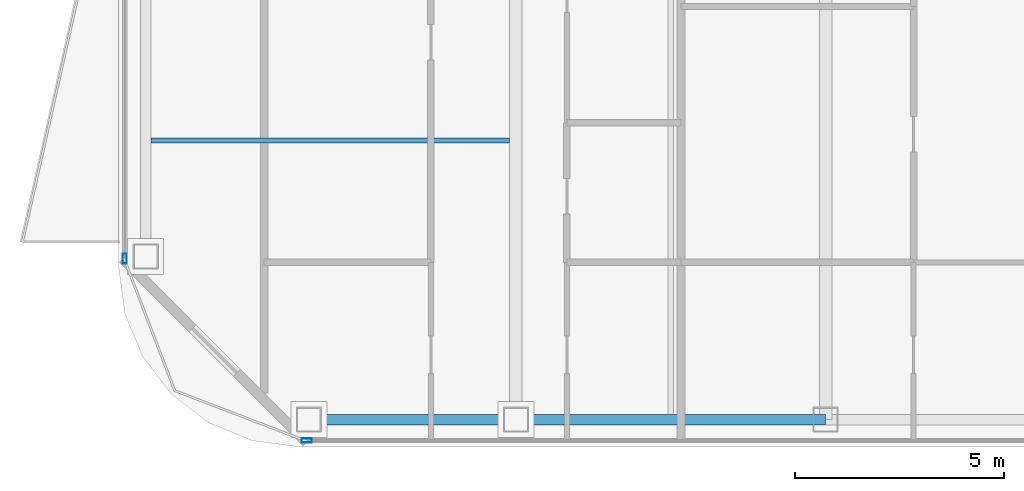
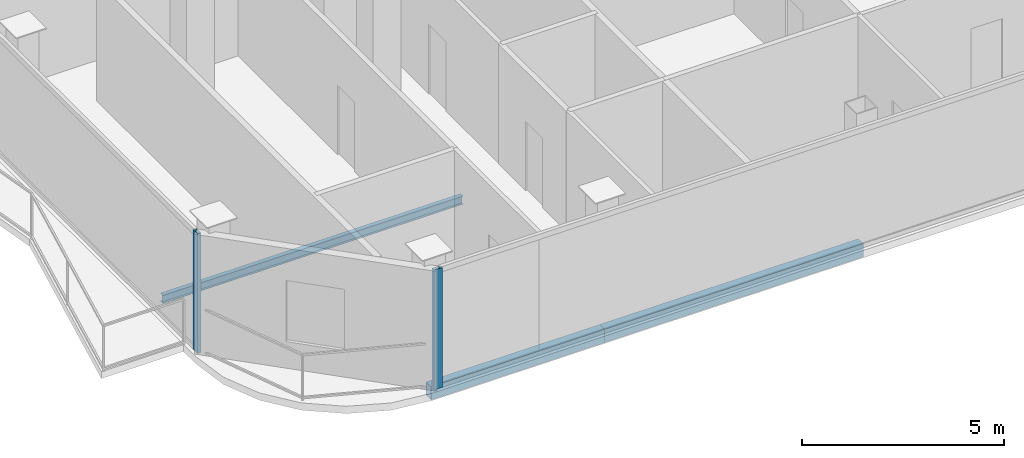
# One storey, part 2 of 24: 3 beams, 2 members, 2 elements without a shape of their own.
"""IFC4 building model written with IfcOpenShell, lengths in metres."""

from ifc_helpers import new_model, si_unit, direction, frame, origin, origin_2d, place, context, subcontext, project, spatial, hollow_rectangle, i_section, extrude, material, layer, layer_set, material_profile, profile_set, type_object, element, aggregate, save


model = new_model("IFC4")

# Units and contexts
model_context = context("Model", 3, precision=1e-05, world=origin(), true_north=direction((0.0, 1.0)))
body_context = subcontext(model_context, "Body", "Model", "MODEL_VIEW")
ifc_project = project(units=[si_unit("LENGTHUNIT", "METRE"), si_unit("AREAUNIT", "SQUARE_METRE"), si_unit("VOLUMEUNIT", "CUBIC_METRE"), si_unit("PLANEANGLEUNIT", "RADIAN"), si_unit("MASSUNIT", "GRAM", prefix="KILO")], contexts=[model_context])

# Site, building, storey
site_placement = place(None, origin())
site = spatial("IfcSite", under=ifc_project, at=site_placement, CompositionType="ELEMENT")
building_placement = place(site_placement, origin())
building = spatial("IfcBuilding", under=site, at=building_placement, Name="Khorvyn Point Tower", CompositionType="ELEMENT")
storey_placement = place(building_placement, frame((0.0, 0.0, 215.699951171875)))
storey = spatial("IfcBuildingStorey", under=building, at=storey_placement, Name="L53", CompositionType="ELEMENT", Elevation=215.699951171875)

# Curtain wall, member
ifc_material_1 = material(Name="Anodised aluminium 6063-T6 and laminated Low-E glass", Category="aluminium")
ifc_layer = layer(ifc_material_1, 0.18994140625)
ifc_layer_set = layer_set([ifc_layer], Name="Stick-Built Acoustic Curtain Wall CW-SYS-03")
curtain_wall_type = type_object("IfcCurtainWallType", Name="Stick-Built Acoustic Curtain Wall CW-SYS-03", PredefinedType="NOTDEFINED", material=ifc_layer_set)
curtain_wall_1_placement = place(storey_placement, origin())
curtain_wall_1 = element("IfcCurtainWall", 1, at=curtain_wall_1_placement, inside=storey, type_object=curtain_wall_type, Name="Curtain Wall", PredefinedType="NOTDEFINED")
ifc_material_2 = material(Name="Anodised aluminium 6063-T6", Category="aluminium")
ifc_material_profile_1 = material_profile(ifc_material_2, hollow_rectangle(XDim=0.10009765625, YDim=0.239990234375, WallThickness=0.0048828125, at=origin_2d()))
ifc_profile_set_1 = profile_set([ifc_material_profile_1], Name="Anodised aluminium 6063-T6 ALU-MUL-100x240")
member_type = type_object("IfcMemberType", Name="Anodised Aluminium 6063-T6 Mullion ALU-MUL-100x240", PredefinedType="MULLION", material=ifc_profile_set_1)
member_1_placement = place(storey_placement, frame((-19.800048828125, -28.64990234375, 0.0), z_axis=(0.0, 0.0, 1.0), x_axis=(0.0, -1.0, 0.0)))
member_1 = element("IfcMember", 2, at=member_1_placement, type_object=member_type, Name="Transom", PredefinedType="MULLION", context=body_context, shape_type="SweptSolid", body=[
    extrude(hollow_rectangle(XDim=0.10009765625, YDim=0.239990234375, WallThickness=0.0048828125, at=origin_2d()), origin(), (0.0, 0.0, 1.0), 3.6201171875),
])
aggregate(curtain_wall_1, [member_1])

curtain_wall_2_placement = place(storey_placement, origin())
curtain_wall_2 = element("IfcCurtainWall", 3, at=curtain_wall_2_placement, inside=storey, type_object=curtain_wall_type, Name="Curtain Wall", PredefinedType="NOTDEFINED")
member_2_placement = place(storey_placement, frame((-24.14990234375, -24.300048828125, 0.0), z_axis=(0.0, 0.0, 1.0), x_axis=(-1.0, 0.0, 0.0)))
member_2 = element("IfcMember", 4, at=member_2_placement, type_object=member_type, Name="Transom", PredefinedType="MULLION", context=body_context, shape_type="SweptSolid", body=[
    extrude(hollow_rectangle(XDim=0.10009765625, YDim=0.239990234375, WallThickness=0.0048828125, at=origin_2d()), origin(), (0.0, 0.0, 1.0), 3.6201171875),
])
aggregate(curtain_wall_2, [member_2])

# Beams
ifc_material_3 = material(Name="Steel S355", Category="steel")
ifc_material_profile_2 = material_profile(ifc_material_3, i_section(OverallWidth=0.125, OverallDepth=0.25, WebThickness=0.006103515625, FlangeThickness=0.009033203125, at=origin_2d()))
ifc_profile_set_2 = profile_set([ifc_material_profile_2], Name="Steel S355 H250x125x6x9")
beam_type_1 = type_object("IfcBeamType", Name="Steel S355 Joist H250x125x6x9", PredefinedType="JOIST", material=ifc_profile_set_2)
beam_1_placement = place(storey_placement, frame((-23.52490234375, -21.47509765625, -0.344970703125), z_axis=(1.0, 0.0, 0.0), x_axis=(0.0, 1.0, 0.0)))
element("IfcBeam", 5, at=beam_1_placement, inside=storey, type_object=beam_type_1, Name="Beam", PredefinedType="JOIST", context=body_context, shape_type="SweptSolid", body=[
    extrude(i_section(OverallWidth=0.125, OverallDepth=0.25, WebThickness=0.006103515625, FlangeThickness=0.009033203125, at=origin_2d()), origin(), (0.0, 0.0, 1.0), 8.574951171875),
])
ifc_material_profile_3 = material_profile(ifc_material_3, hollow_rectangle(XDim=0.25, YDim=0.39990234375, WallThickness=0.01611328125, at=origin_2d()))
ifc_profile_set_3 = profile_set([ifc_material_profile_3], Name="Steel S355 RHS400x250x16")
beam_type_2 = type_object("IfcBeamType", Name="Steel S355 Spandrel RHS400x250x16", PredefinedType="SPANDREL", material=ifc_profile_set_3)
beam_2_placement = place(storey_placement, frame((-19.75, -28.14990234375, -0.419921875), z_axis=(1.0, 0.0, 0.0), x_axis=(0.0, 1.0, 0.0)))
element("IfcBeam", 6, at=beam_2_placement, inside=storey, type_object=beam_type_2, Name="Beam", PredefinedType="SPANDREL", context=body_context, shape_type="SweptSolid", body=[
    extrude(hollow_rectangle(XDim=0.25, YDim=0.39990234375, WallThickness=0.01611328125, at=origin_2d()), origin(), (0.0, 0.0, 1.0), 4.949951171875),
])
beam_3_placement = place(storey_placement, frame((-14.800048828125, -28.14990234375, -0.419921875), z_axis=(1.0, 0.0, 0.0), x_axis=(0.0, 1.0, 0.0)))
element("IfcBeam", 7, at=beam_3_placement, inside=storey, type_object=beam_type_2, Name="Beam", PredefinedType="SPANDREL", context=body_context, shape_type="SweptSolid", body=[
    extrude(hollow_rectangle(XDim=0.25, YDim=0.39990234375, WallThickness=0.01611328125, at=origin_2d()), origin(), (0.0, 0.0, 1.0), 7.400146484375),
])

save(model, "model.ifc")
